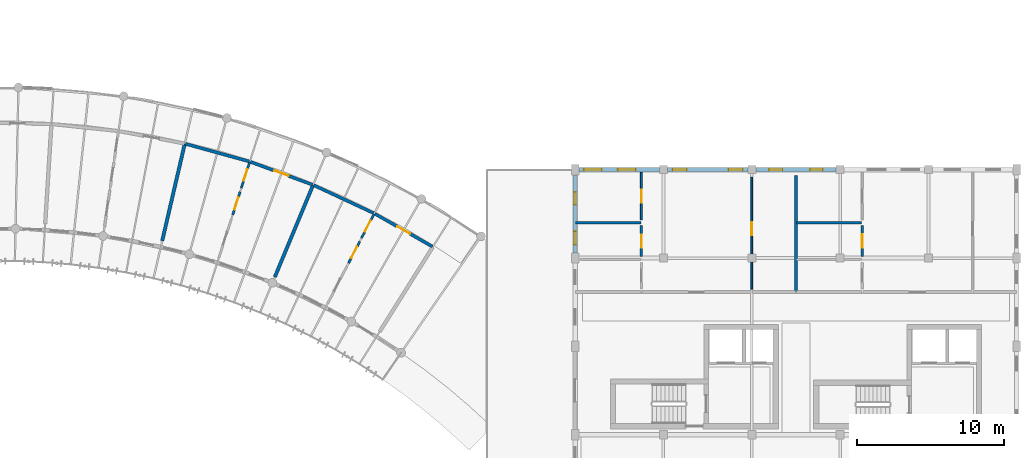
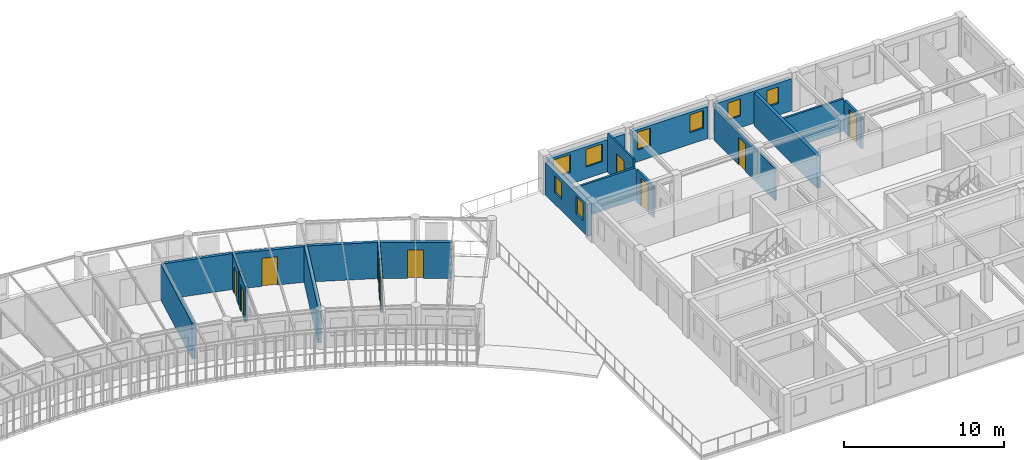
# One storey, part 81 of 101: 21 walls, 10 doors, 8 windows, 18 openings.
"""IFC4 building model written with IfcOpenShell, lengths in metres."""

from ifc_helpers import new_model, si_unit, direction, frame, frame_2d, origin, place, context, subcontext, project, spatial, rectangle, extrude, material, layer, layer_set, type_object, element, fill, save


model = new_model("IFC4")

# Units and contexts
model_context = context("Model", 3, precision=1e-05, world=origin(), true_north=direction((0.0, 1.0)))
body_context = subcontext(model_context, "Body", "Model", "MODEL_VIEW")
ifc_project = project(units=[si_unit("LENGTHUNIT", "METRE"), si_unit("AREAUNIT", "SQUARE_METRE"), si_unit("VOLUMEUNIT", "CUBIC_METRE"), si_unit("PLANEANGLEUNIT", "RADIAN"), si_unit("MASSUNIT", "GRAM", prefix="KILO"), si_unit("POWERUNIT", "WATT"), si_unit("THERMODYNAMICTEMPERATUREUNIT", "KELVIN")], contexts=[model_context])

# Site, building, storey
site_placement = place(None, origin())
site = spatial("IfcSite", under=ifc_project, at=site_placement, CompositionType="ELEMENT")
building_placement = place(site_placement, origin())
building = spatial("IfcBuilding", under=site, at=building_placement, Name="Ruvembo Vaulted Housing Court", CompositionType="ELEMENT")
storey_placement = place(building_placement, frame((0.0, 0.0, 17.300048828125)))
storey = spatial("IfcBuildingStorey", under=building, at=storey_placement, Name="L05", CompositionType="ELEMENT", Elevation=17.300048828125)

# Wall
ifc_material_1 = material(Name="Concrete Blockwork 210", Category="masonry")
ifc_layer_1 = layer(ifc_material_1, 0.2099609375, Name="Concrete Blockwork 210")
ifc_layer_set_1 = layer_set([ifc_layer_1], Name="Concrete Blockwork 210")
wall_type_1 = type_object("IfcWallType", Name="WL-CORR-210", PredefinedType="SOLIDWALL", material=ifc_layer_set_1)
wall_1_placement = place(storey_placement, frame((129.531982421875, 103.7568359375, 0.0), z_axis=(0.0, 0.0, 1.0), x_axis=(0.963830390038, -0.266516377055, 0.0)))
element("IfcWall", 1, at=wall_1_placement, inside=storey, type_object=wall_type_1, Name="L05 Suite SC3-L05-U6 Gallery Wall WL-INT-L05-01678", PredefinedType="SOLIDWALL", context=body_context, shape_type="SweptSolid", body=[
    extrude(rectangle(XDim=4.50146484375, YDim=0.2099609375, at=frame_2d((2.250732421875, 0.0))), origin(), (0.0, 0.0, 1.0), 2.73388671875),
])

# Wall, opening, door
wall_2_placement = place(storey_placement, frame((133.946533203125, 102.53271484375, 0.0), z_axis=(0.0, 0.0, 1.0), x_axis=(0.93839218154, -0.345572154006, 0.0)))
wall_2 = element("IfcWall", 2, at=wall_2_placement, inside=storey, type_object=wall_type_1, Name="L05 Suite SC3-L05-U6 Entrance WL-INT-L05-01679", PredefinedType="SOLIDWALL", context=body_context, shape_type="SweptSolid", body=[
    extrude(rectangle(XDim=4.501708984375, YDim=0.2099609375, at=frame_2d((2.2509765625, 0.0))), origin(), (0.0, 0.0, 1.0), 2.7138671875),
])
opening_1_placement = place(wall_2_placement, frame((1.750732421875, 0.0, 0.0)))
opening_1 = element("IfcOpeningElement", 3, at=opening_1_placement, cuts=wall_2, Name="Opening FD1", PredefinedType="OPENING", context=body_context, shape_type="SweptSolid", body=[
    extrude(rectangle(XDim=1.0, YDim=2.14990234375, at=frame_2d((0.5, 1.074951171875))), frame((0.0, 0.114990234375, 0.0), z_axis=(0.0, -1.0, 0.0), x_axis=(1.0, 0.0, 0.0)), (0.0, 0.0, 1.0), 0.22998046875),
])
ifc_material_2 = material(Name="FSC Hardwood and Engineered Timber", Category="wood")
door_type_1 = type_object("IfcDoorType", Name="DR-FLAT-1000x2150", OperationType="NOTDEFINED", PredefinedType="DOOR", material=ifc_material_2)
door_1_placement = place(opening_1_placement, origin())
door_1 = element("IfcDoor", 4, at=door_1_placement, inside=storey, type_object=door_type_1, Name="L05 Suite SC3-L05-U6 Entrance Door DR-INT-L05-00951", OperationType="SINGLE_SWING_LEFT", OverallHeight=2.14990234375, OverallWidth=1.0, PredefinedType="DOOR", context=body_context, shape_type="SweptSolid", body=[
    extrude(rectangle(XDim=1.0, YDim=2.14990234375, at=frame_2d((0.5, 1.074951171875))), frame((0.0, 0.02490234375, 0.0), z_axis=(0.0, -1.0, 0.0), x_axis=(1.0, 0.0, 0.0)), (0.0, 0.0, 1.0), 0.050048828125),
])
fill(opening_1, door_1)

# Wall
wall_3_placement = place(storey_placement, frame((138.24462890625, 100.9462890625, 0.0), z_axis=(0.0, 0.0, 1.0), x_axis=(0.906512639591, -0.422178675755, 0.0)))
element("IfcWall", 5, at=wall_3_placement, inside=storey, type_object=wall_type_1, Name="L05 Suite SC3-L05-U7 Gallery Wall WL-INT-L05-01684", PredefinedType="SOLIDWALL", context=body_context, shape_type="SweptSolid", body=[
    extrude(rectangle(XDim=4.50146484375, YDim=0.2099609375, at=frame_2d((2.250732421875, 0.0))), origin(), (0.0, 0.0, 1.0), 2.75390625),
])

# Wall, opening, door
wall_4_placement = place(storey_placement, frame((142.39599609375, 99.00927734375, 0.0), z_axis=(0.0, 0.0, 1.0), x_axis=(0.868376606973, -0.495905301909, 0.0)))
wall_4 = element("IfcWall", 6, at=wall_4_placement, inside=storey, type_object=wall_type_1, Name="L05 Suite SC3-L05-U7 Entrance WL-INT-L05-01685", PredefinedType="SOLIDWALL", context=body_context, shape_type="SweptSolid", body=[
    extrude(rectangle(XDim=4.501708984375, YDim=0.2099609375, at=frame_2d((2.2509765625, 0.0))), origin(), (0.0, 0.0, 1.0), 2.73388671875),
])
opening_2_placement = place(wall_4_placement, frame((1.7607421875, 0.0, 0.0)))
opening_2 = element("IfcOpeningElement", 7, at=opening_2_placement, cuts=wall_4, Name="Opening FD2", PredefinedType="OPENING", context=body_context, shape_type="SweptSolid", body=[
    extrude(rectangle(XDim=0.97998046875, YDim=2.14990234375, at=frame_2d((0.489990234375, 1.074951171875))), frame((0.0, 0.114990234375, 0.0), z_axis=(0.0, -1.0, 0.0), x_axis=(1.0, 0.0, 0.0)), (0.0, 0.0, 1.0), 0.22998046875),
])
door_type_2 = type_object("IfcDoorType", Name="DR-FLAT-0980x2150", OperationType="NOTDEFINED", PredefinedType="DOOR", material=ifc_material_2)
door_2_placement = place(opening_2_placement, origin())
door_2 = element("IfcDoor", 8, at=door_2_placement, inside=storey, type_object=door_type_2, Name="L05 Suite SC3-L05-U7 Entrance Door DR-INT-L05-00955", OperationType="SINGLE_SWING_LEFT", OverallHeight=2.14990234375, OverallWidth=0.97998046875, PredefinedType="DOOR", context=body_context, shape_type="SweptSolid", body=[
    extrude(rectangle(XDim=0.97998046875, YDim=2.14990234375, at=frame_2d((0.489990234375, 1.074951171875))), frame((0.0, 0.02490234375, 0.0), z_axis=(0.0, -1.0, 0.0), x_axis=(1.0, 0.0, 0.0)), (0.0, 0.0, 1.0), 0.050048828125),
])
fill(opening_2, door_2)

# Walls
ifc_material_3 = material(Name="Acoustic Masonry Demising 230", Category="masonry")
ifc_layer_2 = layer(ifc_material_3, 0.22998046875, Name="Acoustic Masonry Demising 230")
ifc_layer_set_2 = layer_set([ifc_layer_2], Name="Acoustic Masonry Demising 230")
wall_type_2 = type_object("IfcWallType", Name="WL-DEM-230", PredefinedType="SOLIDWALL", material=ifc_layer_set_2)
wall_5_placement = place(storey_placement, frame((171.0, 93.739990234375, 0.0), z_axis=(0.0, 0.0, 1.0), x_axis=(0.0, 1.0, 0.0)))
element("IfcWall", 9, at=wall_5_placement, inside=storey, type_object=wall_type_2, Name="L05 Demising D-L05-N1 WL-INT-L05-01559", PredefinedType="SOLIDWALL", context=body_context, shape_type="SweptSolid", body=[
    extrude(rectangle(XDim=7.8701171875, YDim=0.22998046875, at=frame_2d((3.93505859375, 0.0))), origin(), (0.0, 0.0, 1.0), 2.508056640625),
])
wall_6_placement = place(storey_placement, frame((127.959716796875, 97.16748046875, 0.0), z_axis=(0.0, 0.0, 1.0), x_axis=(0.226349561734, 0.974046136434, 0.0)))
element("IfcWall", 10, at=wall_6_placement, inside=storey, type_object=wall_type_2, Name="L05 Suite SC3-L05-U5 Demising WL-INT-L05-01677", PredefinedType="SOLIDWALL", context=body_context, shape_type="SweptSolid", body=[
    extrude(rectangle(XDim=6.73583984375, YDim=0.22998046875, at=frame_2d((3.367919921875, 0.0))), origin(), (0.0, 0.0, 1.0), 2.7138671875),
])
wall_7_placement = place(storey_placement, frame((135.60498046875, 94.707275390625, 0.0), z_axis=(0.0, 0.0, 1.0), x_axis=(0.384190705314, 0.923253758157, 0.0)))
element("IfcWall", 11, at=wall_7_placement, inside=storey, type_object=wall_type_2, Name="L05 Suite SC3-L05-U6 Demising WL-INT-L05-01683", PredefinedType="SOLIDWALL", context=body_context, shape_type="SweptSolid", body=[
    extrude(rectangle(XDim=6.73583984375, YDim=0.22998046875, at=frame_2d((3.367919921875, 0.0))), origin(), (0.0, 0.0, 1.0), 2.73388671875),
])

# Wall, openings, windows
ifc_material_4 = material(Name="Rendered Masonry 285", Category="masonry")
ifc_layer_3 = layer(ifc_material_4, 0.284912109375, Name="Rendered Masonry 285")
ifc_layer_set_3 = layer_set([ifc_layer_3], Name="Rendered Masonry 285")
wall_type_3 = type_object("IfcWallType", Name="WL-EXT-285", PredefinedType="STANDARD", material=ifc_layer_set_3)
wall_8_placement = place(storey_placement, frame((173.72509765625, 102.0, 0.0), z_axis=(0.0, 0.0, 1.0), x_axis=(-1.0, 0.0, 0.0)))
wall_8 = element("IfcWall", 12, at=wall_8_placement, inside=storey, type_object=wall_type_3, Name="Block D L05 Exterior Wall STREET #3", PredefinedType="STANDARD", context=body_context, shape_type="SweptSolid", body=[
    extrude(rectangle(XDim=5.4501953125, YDim=0.284912109375, at=frame_2d((2.72509765625, 0.0))), origin(), (0.0, 0.0, 1.0), 2.447021484375),
])
opening_3_placement = place(wall_8_placement, frame((0.91748046875, 0.0, 0.89990234375)))
opening_3 = element("IfcOpeningElement", 13, at=opening_3_placement, cuts=wall_8, Name="Opening W03", PredefinedType="OPENING", context=body_context, shape_type="SweptSolid", body=[
    extrude(rectangle(XDim=0.85009765625, YDim=1.25, at=frame_2d((0.425048828125, 0.625))), frame((0.0, 0.15234375, 0.0), z_axis=(0.0, -1.0, 0.0), x_axis=(1.0, 0.0, 0.0)), (0.0, 0.0, 1.0), 0.304931640625),
])
opening_4_placement = place(wall_8_placement, frame((3.657470703125, 0.0, 0.89990234375)))
opening_4 = element("IfcOpeningElement", 14, at=opening_4_placement, cuts=wall_8, Name="Opening W04", PredefinedType="OPENING", context=body_context, shape_type="SweptSolid", body=[
    extrude(rectangle(XDim=0.89990234375, YDim=1.300048828125, at=frame_2d((0.449951171875, 0.64990234375))), frame((0.0, 0.15234375, 0.0), z_axis=(0.0, -1.0, 0.0), x_axis=(1.0, 0.0, 0.0)), (0.0, 0.0, 1.0), 0.304931640625),
])
ifc_material_5 = material(Name="Double Solar-Control Glazing in Aluminium Frame", Category="aluminium")
window_type_1 = type_object("IfcWindowType", Name="WIN-0850x1250", PartitioningType="SINGLE_PANEL", PredefinedType="WINDOW", material=ifc_material_5)
window_1_placement = place(opening_3_placement, origin())
window_1 = element("IfcWindow", 15, at=window_1_placement, inside=storey, type_object=window_type_1, Name="Block D L05 Window #1687", OverallHeight=1.25, OverallWidth=0.85009765625, PartitioningType="SINGLE_PANEL", PredefinedType="WINDOW", context=body_context, shape_type="SweptSolid", body=[
    extrude(rectangle(XDim=0.85009765625, YDim=1.25, at=frame_2d((0.425048828125, 0.625))), frame((0.0, 0.030029296875, 0.0), z_axis=(0.0, -1.0, 0.0), x_axis=(1.0, 0.0, 0.0)), (0.0, 0.0, 1.0), 0.06005859375),
])
fill(opening_3, window_1)
window_type_2 = type_object("IfcWindowType", Name="WIN-0900x1300", PartitioningType="SINGLE_PANEL", PredefinedType="WINDOW", material=ifc_material_5)
window_2_placement = place(opening_4_placement, origin())
window_2 = element("IfcWindow", 16, at=window_2_placement, inside=storey, type_object=window_type_2, Name="Block D L05 Window #1688", OverallHeight=1.300048828125, OverallWidth=0.89990234375, PartitioningType="SINGLE_PANEL", PredefinedType="WINDOW", context=body_context, shape_type="SweptSolid", body=[
    extrude(rectangle(XDim=0.89990234375, YDim=1.300048828125, at=frame_2d((0.449951171875, 0.64990234375))), frame((0.0, 0.030029296875, 0.0), z_axis=(0.0, -1.0, 0.0), x_axis=(1.0, 0.0, 0.0)), (0.0, 0.0, 1.0), 0.06005859375),
])
fill(opening_4, window_2)

wall_9_placement = place(storey_placement, frame((167.72509765625, 102.0, 0.0), z_axis=(0.0, 0.0, 1.0), x_axis=(-1.0, 0.0, 0.0)))
wall_9 = element("IfcWall", 17, at=wall_9_placement, inside=storey, type_object=wall_type_3, Name="Block D L05 Exterior Wall STREET #4", PredefinedType="STANDARD", context=body_context, shape_type="SweptSolid", body=[
    extrude(rectangle(XDim=5.4501953125, YDim=0.284912109375, at=frame_2d((2.72509765625, 0.0))), origin(), (0.0, 0.0, 1.0), 2.447021484375),
])
opening_5_placement = place(wall_9_placement, frame((0.35009765625, 0.0, 0.89990234375)))
opening_5 = element("IfcOpeningElement", 18, at=opening_5_placement, cuts=wall_9, Name="Opening W07", PredefinedType="OPENING", context=body_context, shape_type="SweptSolid", body=[
    extrude(rectangle(XDim=0.949951171875, YDim=1.35009765625, at=frame_2d((0.47509765625, 0.675048828125))), frame((0.0, 0.15234375, 0.0), z_axis=(0.0, -1.0, 0.0), x_axis=(1.0, 0.0, 0.0)), (0.0, 0.0, 1.0), 0.304931640625),
])
opening_6_placement = place(wall_9_placement, frame((4.14990234375, 0.0, 0.89990234375)))
opening_6 = element("IfcOpeningElement", 19, at=opening_6_placement, cuts=wall_9, Name="Opening W07", PredefinedType="OPENING", context=body_context, shape_type="SweptSolid", body=[
    extrude(rectangle(XDim=0.949951171875, YDim=1.35009765625, at=frame_2d((0.47509765625, 0.675048828125))), frame((0.0, 0.15234375, 0.0), z_axis=(0.0, -1.0, 0.0), x_axis=(1.0, 0.0, 0.0)), (0.0, 0.0, 1.0), 0.304931640625),
])
window_type_3 = type_object("IfcWindowType", Name="WIN-0950x1350", PartitioningType="SINGLE_PANEL", PredefinedType="WINDOW", material=ifc_material_5)
window_3_placement = place(opening_5_placement, origin())
window_3 = element("IfcWindow", 20, at=window_3_placement, inside=storey, type_object=window_type_3, Name="Block D L05 Window #1689", OverallHeight=1.35009765625, OverallWidth=0.949951171875, PartitioningType="SINGLE_PANEL", PredefinedType="WINDOW", context=body_context, shape_type="SweptSolid", body=[
    extrude(rectangle(XDim=0.949951171875, YDim=1.35009765625, at=frame_2d((0.47509765625, 0.675048828125))), frame((0.0, 0.030029296875, 0.0), z_axis=(0.0, -1.0, 0.0), x_axis=(1.0, 0.0, 0.0)), (0.0, 0.0, 1.0), 0.06005859375),
])
fill(opening_5, window_3)
window_4_placement = place(opening_6_placement, origin())
window_4 = element("IfcWindow", 21, at=window_4_placement, inside=storey, type_object=window_type_3, Name="Block D L05 Window #1690", OverallHeight=1.35009765625, OverallWidth=0.949951171875, PartitioningType="SINGLE_PANEL", PredefinedType="WINDOW", context=body_context, shape_type="SweptSolid", body=[
    extrude(rectangle(XDim=0.949951171875, YDim=1.35009765625, at=frame_2d((0.47509765625, 0.675048828125))), frame((0.0, 0.030029296875, 0.0), z_axis=(0.0, -1.0, 0.0), x_axis=(1.0, 0.0, 0.0)), (0.0, 0.0, 1.0), 0.06005859375),
])
fill(opening_6, window_4)

wall_10_placement = place(storey_placement, frame((161.72509765625, 102.0, 0.0), z_axis=(0.0, 0.0, 1.0), x_axis=(-1.0, 0.0, 0.0)))
wall_10 = element("IfcWall", 22, at=wall_10_placement, inside=storey, type_object=wall_type_3, Name="Block D L05 Exterior Wall STREET #5", PredefinedType="STANDARD", context=body_context, shape_type="SweptSolid", body=[
    extrude(rectangle(XDim=5.47509765625, YDim=0.284912109375, at=frame_2d((2.737548828125, 0.0))), origin(), (0.0, 0.0, 1.0), 2.447021484375),
])
opening_7_placement = place(wall_10_placement, frame((1.614990234375, 0.0, 0.89990234375)))
opening_7 = element("IfcOpeningElement", 23, at=opening_7_placement, cuts=wall_10, Name="Opening W12", PredefinedType="OPENING", context=body_context, shape_type="SweptSolid", body=[
    extrude(rectangle(XDim=1.199951171875, YDim=1.35009765625, at=frame_2d((0.60009765625, 0.675048828125))), frame((0.0, 0.15234375, 0.0), z_axis=(0.0, -1.0, 0.0), x_axis=(1.0, 0.0, 0.0)), (0.0, 0.0, 1.0), 0.304931640625),
])
opening_8_placement = place(wall_10_placement, frame((3.925048828125, 0.0, 0.89990234375)))
opening_8 = element("IfcOpeningElement", 24, at=opening_8_placement, cuts=wall_10, Name="Opening W12", PredefinedType="OPENING", context=body_context, shape_type="SweptSolid", body=[
    extrude(rectangle(XDim=1.199951171875, YDim=1.35009765625, at=frame_2d((0.60009765625, 0.675048828125))), frame((0.0, 0.15234375, 0.0), z_axis=(0.0, -1.0, 0.0), x_axis=(1.0, 0.0, 0.0)), (0.0, 0.0, 1.0), 0.304931640625),
])
window_type_4 = type_object("IfcWindowType", Name="WIN-1200x1350", PartitioningType="SINGLE_PANEL", PredefinedType="WINDOW", material=ifc_material_5)
window_5_placement = place(opening_7_placement, origin())
window_5 = element("IfcWindow", 25, at=window_5_placement, inside=storey, type_object=window_type_4, Name="Block D L05 Window #1691", OverallHeight=1.35009765625, OverallWidth=1.199951171875, PartitioningType="SINGLE_PANEL", PredefinedType="WINDOW", context=body_context, shape_type="SweptSolid", body=[
    extrude(rectangle(XDim=1.199951171875, YDim=1.35009765625, at=frame_2d((0.60009765625, 0.675048828125))), frame((0.0, 0.030029296875, 0.0), z_axis=(0.0, -1.0, 0.0), x_axis=(1.0, 0.0, 0.0)), (0.0, 0.0, 1.0), 0.06005859375),
])
fill(opening_7, window_5)
window_6_placement = place(opening_8_placement, origin())
window_6 = element("IfcWindow", 26, at=window_6_placement, inside=storey, type_object=window_type_4, Name="Block D L05 Window #1692", OverallHeight=1.35009765625, OverallWidth=1.199951171875, PartitioningType="SINGLE_PANEL", PredefinedType="WINDOW", context=body_context, shape_type="SweptSolid", body=[
    extrude(rectangle(XDim=1.199951171875, YDim=1.35009765625, at=frame_2d((0.60009765625, 0.675048828125))), frame((0.0, 0.030029296875, 0.0), z_axis=(0.0, -1.0, 0.0), x_axis=(1.0, 0.0, 0.0)), (0.0, 0.0, 1.0), 0.06005859375),
])
fill(opening_8, window_6)

wall_11_placement = place(storey_placement, frame((156.0, 101.64990234375, 0.0), z_axis=(0.0, 0.0, 1.0), x_axis=(0.0, -1.0, 0.0)))
wall_11 = element("IfcWall", 27, at=wall_11_placement, inside=storey, type_object=wall_type_3, Name="Block D L05 Exterior Wall WEST #1", PredefinedType="STANDARD", context=body_context, shape_type="SweptSolid", body=[
    extrude(rectangle(XDim=5.2998046875, YDim=0.284912109375, at=frame_2d((2.64990234375, 0.0))), origin(), (0.0, 0.0, 1.0), 2.447021484375),
])
opening_9_placement = place(wall_11_placement, frame((1.179931640625, 0.0, 0.89990234375)))
opening_9 = element("IfcOpeningElement", 28, at=opening_9_placement, cuts=wall_11, Name="Opening W03", PredefinedType="OPENING", context=body_context, shape_type="SweptSolid", body=[
    extrude(rectangle(XDim=0.85009765625, YDim=1.25, at=frame_2d((0.425048828125, 0.625))), frame((0.0, 0.15234375, 0.0), z_axis=(0.0, -1.0, 0.0), x_axis=(1.0, 0.0, 0.0)), (0.0, 0.0, 1.0), 0.304931640625),
])
opening_10_placement = place(wall_11_placement, frame((3.844970703125, 0.0, 0.89990234375)))
opening_10 = element("IfcOpeningElement", 29, at=opening_10_placement, cuts=wall_11, Name="Opening W04", PredefinedType="OPENING", context=body_context, shape_type="SweptSolid", body=[
    extrude(rectangle(XDim=0.89990234375, YDim=1.300048828125, at=frame_2d((0.449951171875, 0.64990234375))), frame((0.0, 0.15234375, 0.0), z_axis=(0.0, -1.0, 0.0), x_axis=(1.0, 0.0, 0.0)), (0.0, 0.0, 1.0), 0.304931640625),
])
window_7_placement = place(opening_9_placement, origin())
window_7 = element("IfcWindow", 30, at=window_7_placement, inside=storey, type_object=window_type_1, Name="Block D L05 Window #1693", OverallHeight=1.25, OverallWidth=0.85009765625, PartitioningType="SINGLE_PANEL", PredefinedType="WINDOW", context=body_context, shape_type="SweptSolid", body=[
    extrude(rectangle(XDim=0.85009765625, YDim=1.25, at=frame_2d((0.425048828125, 0.625))), frame((0.0, 0.030029296875, 0.0), z_axis=(0.0, -1.0, 0.0), x_axis=(1.0, 0.0, 0.0)), (0.0, 0.0, 1.0), 0.06005859375),
])
fill(opening_9, window_7)
window_8_placement = place(opening_10_placement, origin())
window_8 = element("IfcWindow", 31, at=window_8_placement, inside=storey, type_object=window_type_2, Name="Block D L05 Window #1694", OverallHeight=1.300048828125, OverallWidth=0.89990234375, PartitioningType="SINGLE_PANEL", PredefinedType="WINDOW", context=body_context, shape_type="SweptSolid", body=[
    extrude(rectangle(XDim=0.89990234375, YDim=1.300048828125, at=frame_2d((0.449951171875, 0.64990234375))), frame((0.0, 0.030029296875, 0.0), z_axis=(0.0, -1.0, 0.0), x_axis=(1.0, 0.0, 0.0)), (0.0, 0.0, 1.0), 0.06005859375),
])
fill(opening_10, window_8)

# Wall, opening, door
ifc_material_6 = material(Name="Plasterboard Stud Partition 125", Category="gypsum")
ifc_layer_4 = layer(ifc_material_6, 0.125, Name="Plasterboard Stud Partition 125")
ifc_layer_set_4 = layer_set([ifc_layer_4], Name="Plasterboard Stud Partition 125")
wall_type_4 = type_object("IfcWallType", Name="WL-PART-125", PredefinedType="PARTITIONING", material=ifc_layer_set_4)
wall_12_placement = place(storey_placement, frame((160.5, 98.590087890625, 0.0), z_axis=(0.0, 0.0, 1.0), x_axis=(0.0, 1.0, 0.0)))
wall_12 = element("IfcWall", 32, at=wall_12_placement, inside=storey, type_object=wall_type_4, Name="L05 Flat D-L05-N1 Bedroom 1 WL-INT-L05-01562", PredefinedType="PARTITIONING", context=body_context, shape_type="SweptSolid", body=[
    extrude(rectangle(XDim=3.219970703125, YDim=0.125, at=frame_2d((1.60986328125, 0.0))), origin(), (0.0, 0.0, 1.0), 2.96484375),
])
opening_11_placement = place(wall_12_placement, frame((1.159912109375, 0.0, 0.0)))
opening_11 = element("IfcOpeningElement", 33, at=opening_11_placement, cuts=wall_12, Name="Opening ID1", PredefinedType="OPENING", context=body_context, shape_type="SweptSolid", body=[
    extrude(rectangle(XDim=0.89990234375, YDim=2.10009765625, at=frame_2d((0.449951171875, 1.050048828125))), frame((0.0, 0.072509765625, 0.0), z_axis=(0.0, -1.0, 0.0), x_axis=(1.0, 0.0, 0.0)), (0.0, 0.0, 1.0), 0.14501953125),
])
door_type_3 = type_object("IfcDoorType", Name="DR-ROOM-0900x2100", OperationType="NOTDEFINED", PredefinedType="DOOR", material=ifc_material_2)
door_3_placement = place(opening_11_placement, origin())
door_3 = element("IfcDoor", 34, at=door_3_placement, inside=storey, type_object=door_type_3, Name="L05 Flat D-L05-N1 Bedroom 1 Door DR-INT-L05-00874", OperationType="SINGLE_SWING_RIGHT", OverallHeight=2.10009765625, OverallWidth=0.89990234375, PredefinedType="DOOR", context=body_context, shape_type="SweptSolid", body=[
    extrude(rectangle(XDim=0.89990234375, YDim=2.10009765625, at=frame_2d((0.449951171875, 1.050048828125))), frame((0.0, 0.02490234375, 0.0), z_axis=(0.0, -1.0, 0.0), x_axis=(1.0, 0.0, 0.0)), (0.0, 0.0, 1.0), 0.050048828125),
])
fill(opening_11, door_3)

wall_13_placement = place(storey_placement, frame((168.0, 93.889892578125, 0.0), z_axis=(0.0, 0.0, 1.0), x_axis=(0.0, 1.0, 0.0)))
wall_13 = element("IfcWall", 35, at=wall_13_placement, inside=storey, type_object=wall_type_4, Name="L05 Flat D-L05-N1 Bedroom 2 WL-INT-L05-01568", PredefinedType="PARTITIONING", context=body_context, shape_type="SweptSolid", body=[
    extrude(rectangle(XDim=7.60009765625, YDim=0.125, at=frame_2d((3.800048828125, 0.0))), origin(), (0.0, 0.0, 1.0), 2.4580078125),
])
opening_12_placement = place(wall_13_placement, frame((3.64990234375, 0.0, 0.0)))
opening_12 = element("IfcOpeningElement", 36, at=opening_12_placement, cuts=wall_13, Name="Opening ID3", PredefinedType="OPENING", context=body_context, shape_type="SweptSolid", body=[
    extrude(rectangle(XDim=0.8798828125, YDim=2.10009765625, at=frame_2d((0.43994140625, 1.050048828125))), frame((0.0, 0.072509765625, 0.0), z_axis=(0.0, -1.0, 0.0), x_axis=(1.0, 0.0, 0.0)), (0.0, 0.0, 1.0), 0.14501953125),
])
door_type_4 = type_object("IfcDoorType", Name="DR-ROOM-0880x2100", OperationType="NOTDEFINED", PredefinedType="DOOR", material=ifc_material_2)
door_4_placement = place(opening_12_placement, origin())
door_4 = element("IfcDoor", 37, at=door_4_placement, inside=storey, type_object=door_type_4, Name="L05 Flat D-L05-N1 Bedroom 2 Door DR-INT-L05-00877", OperationType="SINGLE_SWING_LEFT", OverallHeight=2.10009765625, OverallWidth=0.8798828125, PredefinedType="DOOR", context=body_context, shape_type="SweptSolid", body=[
    extrude(rectangle(XDim=0.8798828125, YDim=2.10009765625, at=frame_2d((0.43994140625, 1.050048828125))), frame((0.0, 0.02490234375, 0.0), z_axis=(0.0, -1.0, 0.0), x_axis=(1.0, 0.0, 0.0)), (0.0, 0.0, 1.0), 0.050048828125),
])
fill(opening_12, door_4)

# Walls
ifc_material_7 = material(Name="Moisture-Resistant Wet Partition 150", Category="gypsum")
ifc_layer_5 = layer(ifc_material_7, 0.14990234375, Name="Moisture-Resistant Wet Partition 150")
ifc_layer_set_5 = layer_set([ifc_layer_5], Name="Moisture-Resistant Wet Partition 150")
wall_type_5 = type_object("IfcWallType", Name="WL-PART-150", PredefinedType="PARTITIONING", material=ifc_layer_set_5)
wall_14_placement = place(storey_placement, frame((156.0400390625, 98.39990234375, 0.0), z_axis=(0.0, 0.0, 1.0), x_axis=(1.0, 0.0, 0.0)))
element("IfcWall", 38, at=wall_14_placement, inside=storey, type_object=wall_type_5, Name="L05 Flat D-L05-N1 Wet Wall 1 WL-INT-L05-01565", PredefinedType="PARTITIONING", context=body_context, shape_type="SweptSolid", body=[
    extrude(rectangle(XDim=4.419921875, YDim=0.14990234375, at=frame_2d((2.2099609375, 0.0))), origin(), (0.0, 0.0, 1.0), 2.447021484375),
])
wall_15_placement = place(storey_placement, frame((171.0400390625, 98.39990234375, 0.0), z_axis=(0.0, 0.0, 1.0), x_axis=(1.0, 0.0, 0.0)))
element("IfcWall", 39, at=wall_15_placement, inside=storey, type_object=wall_type_5, Name="L05 Flat D-L05-N2 Wet Wall 1 WL-INT-L05-01574", PredefinedType="PARTITIONING", context=body_context, shape_type="SweptSolid", body=[
    extrude(rectangle(XDim=4.419921875, YDim=0.14990234375, at=frame_2d((2.2099609375, 0.0))), origin(), (0.0, 0.0, 1.0), 2.4580078125),
])

# Wall, opening, door
wall_16_placement = place(storey_placement, frame((133.333251953125, 100.7568359375, 0.0), z_axis=(0.0, 0.0, 1.0), x_axis=(0.306258297612, 0.951948451936, 0.0)))
wall_16 = element("IfcWall", 40, at=wall_16_placement, inside=storey, type_object=wall_type_5, Name="L05 Suite SC3-L05-U6 Bathroom WL-INT-L05-01682", PredefinedType="PARTITIONING", context=body_context, shape_type="SweptSolid", body=[
    extrude(rectangle(XDim=1.83984375, YDim=0.14990234375, at=frame_2d((0.919921875, 0.0))), origin(), (0.0, 0.0, 1.0), 2.75390625),
])
opening_13_placement = place(wall_16_placement, frame((0.510009765625, 0.0, 0.0)))
opening_13 = element("IfcOpeningElement", 41, at=opening_13_placement, cuts=wall_16, Name="Opening ID4", PredefinedType="OPENING", context=body_context, shape_type="SweptSolid", body=[
    extrude(rectangle(XDim=0.820068359375, YDim=2.080078125, at=frame_2d((0.41015625, 1.0400390625))), frame((0.0, 0.0849609375, 0.0), z_axis=(0.0, -1.0, 0.0), x_axis=(1.0, 0.0, 0.0)), (0.0, 0.0, 1.0), 0.169921875),
])
door_type_5 = type_object("IfcDoorType", Name="DR-WET-0820x2080", OperationType="NOTDEFINED", PredefinedType="DOOR", material=ifc_material_2)
door_5_placement = place(opening_13_placement, origin())
door_5 = element("IfcDoor", 42, at=door_5_placement, inside=storey, type_object=door_type_5, Name="L05 Suite SC3-L05-U6 Bathroom Door DR-INT-L05-00954", OperationType="SINGLE_SWING_RIGHT", OverallHeight=2.080078125, OverallWidth=0.820068359375, PredefinedType="DOOR", context=body_context, shape_type="SweptSolid", body=[
    extrude(rectangle(XDim=0.820068359375, YDim=2.080078125, at=frame_2d((0.41015625, 1.0400390625))), frame((0.0, 0.02490234375, 0.0), z_axis=(0.0, -1.0, 0.0), x_axis=(1.0, 0.0, 0.0)), (0.0, 0.0, 1.0), 0.050048828125),
])
fill(opening_13, door_5)

wall_17_placement = place(storey_placement, frame((141.497802734375, 97.359130859375, 0.0), z_axis=(0.0, 0.0, 1.0), x_axis=(0.459379600499, 0.888240047873, 0.0)))
wall_17 = element("IfcWall", 43, at=wall_17_placement, inside=storey, type_object=wall_type_5, Name="L05 Suite SC3-L05-U7 Bathroom WL-INT-L05-01688", PredefinedType="PARTITIONING", context=body_context, shape_type="SweptSolid", body=[
    extrude(rectangle(XDim=1.83984375, YDim=0.14990234375, at=frame_2d((0.919921875, 0.0))), origin(), (0.0, 0.0, 1.0), 2.7138671875),
])
opening_14_placement = place(wall_17_placement, frame((0.4951171875, 0.0, 0.0)))
opening_14 = element("IfcOpeningElement", 44, at=opening_14_placement, cuts=wall_17, Name="Opening ID2", PredefinedType="OPENING", context=body_context, shape_type="SweptSolid", body=[
    extrude(rectangle(XDim=0.85009765625, YDim=2.10009765625, at=frame_2d((0.425048828125, 1.050048828125))), frame((0.0, 0.0849609375, 0.0), z_axis=(0.0, -1.0, 0.0), x_axis=(1.0, 0.0, 0.0)), (0.0, 0.0, 1.0), 0.169921875),
])
door_type_6 = type_object("IfcDoorType", Name="DR-WET-0850x2100", OperationType="NOTDEFINED", PredefinedType="DOOR", material=ifc_material_2)
door_6_placement = place(opening_14_placement, origin())
door_6 = element("IfcDoor", 45, at=door_6_placement, inside=storey, type_object=door_type_6, Name="L05 Suite SC3-L05-U7 Bathroom Door DR-INT-L05-00958", OperationType="SINGLE_SWING_RIGHT", OverallHeight=2.10009765625, OverallWidth=0.85009765625, PredefinedType="DOOR", context=body_context, shape_type="SweptSolid", body=[
    extrude(rectangle(XDim=0.85009765625, YDim=2.10009765625, at=frame_2d((0.425048828125, 1.050048828125))), frame((0.0, 0.02490234375, 0.0), z_axis=(0.0, -1.0, 0.0), x_axis=(1.0, 0.0, 0.0)), (0.0, 0.0, 1.0), 0.050048828125),
])
fill(opening_14, door_6)

ifc_material_8 = material(Name="Acoustic Service Chase Wall 160", Category="gypsum")
ifc_layer_6 = layer(ifc_material_8, 0.159912109375, Name="Acoustic Service Chase Wall 160")
ifc_layer_set_6 = layer_set([ifc_layer_6], Name="Acoustic Service Chase Wall 160")
wall_type_6 = type_object("IfcWallType", Name="WL-PLUMB-160", PredefinedType="PLUMBINGWALL", material=ifc_layer_set_6)
wall_18_placement = place(storey_placement, frame((160.5, 96.090087890625, 0.0), z_axis=(0.0, 0.0, 1.0), x_axis=(0.0, 1.0, 0.0)))
wall_18 = element("IfcWall", 46, at=wall_18_placement, inside=storey, type_object=wall_type_6, Name="L05 Flat D-L05-N1 Kitchen WL-INT-L05-01563", PredefinedType="PLUMBINGWALL", context=body_context, shape_type="SweptSolid", body=[
    extrude(rectangle(XDim=2.119873046875, YDim=0.159912109375, at=frame_2d((1.06005859375, 0.0))), origin(), (0.0, 0.0, 1.0), 2.407958984375),
])
opening_15_placement = place(wall_18_placement, frame((0.6201171875, 0.0, 0.0)))
opening_15 = element("IfcOpeningElement", 47, at=opening_15_placement, cuts=wall_18, Name="Opening ID3", PredefinedType="OPENING", context=body_context, shape_type="SweptSolid", body=[
    extrude(rectangle(XDim=0.8798828125, YDim=2.10009765625, at=frame_2d((0.43994140625, 1.050048828125))), frame((0.0, 0.08984375, 0.0), z_axis=(0.0, -1.0, 0.0), x_axis=(1.0, 0.0, 0.0)), (0.0, 0.0, 1.0), 0.179931640625),
])
door_7_placement = place(opening_15_placement, origin())
door_7 = element("IfcDoor", 48, at=door_7_placement, inside=storey, type_object=door_type_4, Name="L05 Flat D-L05-N1 Kitchen Door DR-INT-L05-00875", OperationType="SINGLE_SWING_LEFT", OverallHeight=2.10009765625, OverallWidth=0.8798828125, PredefinedType="DOOR", context=body_context, shape_type="SweptSolid", body=[
    extrude(rectangle(XDim=0.8798828125, YDim=2.10009765625, at=frame_2d((0.43994140625, 1.050048828125))), frame((0.0, 0.02490234375, 0.0), z_axis=(0.0, -1.0, 0.0), x_axis=(1.0, 0.0, 0.0)), (0.0, 0.0, 1.0), 0.050048828125),
])
fill(opening_15, door_7)

wall_19_placement = place(storey_placement, frame((175.5, 96.090087890625, 0.0), z_axis=(0.0, 0.0, 1.0), x_axis=(0.0, 1.0, 0.0)))
wall_19 = element("IfcWall", 49, at=wall_19_placement, inside=storey, type_object=wall_type_6, Name="L05 Flat D-L05-N2 Kitchen WL-INT-L05-01572", PredefinedType="PLUMBINGWALL", context=body_context, shape_type="SweptSolid", body=[
    extrude(rectangle(XDim=2.119873046875, YDim=0.159912109375, at=frame_2d((1.06005859375, 0.0))), origin(), (0.0, 0.0, 1.0), 2.407958984375),
])
opening_16_placement = place(wall_19_placement, frame((0.610107421875, 0.0, 0.0)))
opening_16 = element("IfcOpeningElement", 50, at=opening_16_placement, cuts=wall_19, Name="Opening ID1", PredefinedType="OPENING", context=body_context, shape_type="SweptSolid", body=[
    extrude(rectangle(XDim=0.89990234375, YDim=2.10009765625, at=frame_2d((0.449951171875, 1.050048828125))), frame((0.0, 0.08984375, 0.0), z_axis=(0.0, -1.0, 0.0), x_axis=(1.0, 0.0, 0.0)), (0.0, 0.0, 1.0), 0.179931640625),
])
door_8_placement = place(opening_16_placement, origin())
door_8 = element("IfcDoor", 51, at=door_8_placement, inside=storey, type_object=door_type_3, Name="L05 Flat D-L05-N2 Kitchen Door DR-INT-L05-00880", OperationType="SINGLE_SWING_RIGHT", OverallHeight=2.10009765625, OverallWidth=0.89990234375, PredefinedType="DOOR", context=body_context, shape_type="SweptSolid", body=[
    extrude(rectangle(XDim=0.89990234375, YDim=2.10009765625, at=frame_2d((0.449951171875, 1.050048828125))), frame((0.0, 0.02490234375, 0.0), z_axis=(0.0, -1.0, 0.0), x_axis=(1.0, 0.0, 0.0)), (0.0, 0.0, 1.0), 0.050048828125),
])
fill(opening_16, door_8)

wall_20_placement = place(storey_placement, frame((132.7451171875, 98.92919921875, 0.0), z_axis=(0.0, 0.0, 1.0), x_axis=(0.306388026226, 0.95190670624, 0.0)))
wall_20 = element("IfcWall", 52, at=wall_20_placement, inside=storey, type_object=wall_type_6, Name="L05 Suite SC3-L05-U6 Kitchen WL-INT-L05-01681", PredefinedType="PLUMBINGWALL", context=body_context, shape_type="SweptSolid", body=[
    extrude(rectangle(XDim=1.64794921875, YDim=0.159912109375, at=frame_2d((0.823974609375, 0.0))), origin(), (0.0, 0.0, 1.0), 2.75390625),
])
opening_17_placement = place(wall_20_placement, frame((0.384033203125, 0.0, 0.0)))
opening_17 = element("IfcOpeningElement", 53, at=opening_17_placement, cuts=wall_20, Name="Opening ID3", PredefinedType="OPENING", context=body_context, shape_type="SweptSolid", body=[
    extrude(rectangle(XDim=0.8798828125, YDim=2.10009765625, at=frame_2d((0.43994140625, 1.050048828125))), frame((0.0, 0.08984375, 0.0), z_axis=(0.0, -1.0, 0.0), x_axis=(1.0, 0.0, 0.0)), (0.0, 0.0, 1.0), 0.179931640625),
])
door_9_placement = place(opening_17_placement, origin())
door_9 = element("IfcDoor", 54, at=door_9_placement, inside=storey, type_object=door_type_4, Name="L05 Suite SC3-L05-U6 Kitchen Door DR-INT-L05-00953", OperationType="SINGLE_SWING_LEFT", OverallHeight=2.10009765625, OverallWidth=0.8798828125, PredefinedType="DOOR", context=body_context, shape_type="SweptSolid", body=[
    extrude(rectangle(XDim=0.8798828125, YDim=2.10009765625, at=frame_2d((0.43994140625, 1.050048828125))), frame((0.0, 0.02490234375, 0.0), z_axis=(0.0, -1.0, 0.0), x_axis=(1.0, 0.0, 0.0)), (0.0, 0.0, 1.0), 0.050048828125),
])
fill(opening_17, door_9)

wall_21_placement = place(storey_placement, frame((140.615478515625, 95.65380859375, 0.0), z_axis=(0.0, 0.0, 1.0), x_axis=(0.459495453195, 0.888180121649, 0.0)))
wall_21 = element("IfcWall", 55, at=wall_21_placement, inside=storey, type_object=wall_type_6, Name="L05 Suite SC3-L05-U7 Kitchen WL-INT-L05-01687", PredefinedType="PLUMBINGWALL", context=body_context, shape_type="SweptSolid", body=[
    extrude(rectangle(XDim=1.648193359375, YDim=0.159912109375, at=frame_2d((0.82421875, 0.0))), origin(), (0.0, 0.0, 1.0), 2.7138671875),
])
opening_18_placement = place(wall_21_placement, frame((0.384033203125, 0.0, 0.0)))
opening_18 = element("IfcOpeningElement", 56, at=opening_18_placement, cuts=wall_21, Name="Opening ID3", PredefinedType="OPENING", context=body_context, shape_type="SweptSolid", body=[
    extrude(rectangle(XDim=0.8798828125, YDim=2.10009765625, at=frame_2d((0.43994140625, 1.050048828125))), frame((0.0, 0.08984375, 0.0), z_axis=(0.0, -1.0, 0.0), x_axis=(1.0, 0.0, 0.0)), (0.0, 0.0, 1.0), 0.179931640625),
])
door_10_placement = place(opening_18_placement, origin())
door_10 = element("IfcDoor", 57, at=door_10_placement, inside=storey, type_object=door_type_4, Name="L05 Suite SC3-L05-U7 Kitchen Door DR-INT-L05-00957", OperationType="SINGLE_SWING_LEFT", OverallHeight=2.10009765625, OverallWidth=0.8798828125, PredefinedType="DOOR", context=body_context, shape_type="SweptSolid", body=[
    extrude(rectangle(XDim=0.8798828125, YDim=2.10009765625, at=frame_2d((0.43994140625, 1.050048828125))), frame((0.0, 0.02490234375, 0.0), z_axis=(0.0, -1.0, 0.0), x_axis=(1.0, 0.0, 0.0)), (0.0, 0.0, 1.0), 0.050048828125),
])
fill(opening_18, door_10)

save(model, "model.ifc")
